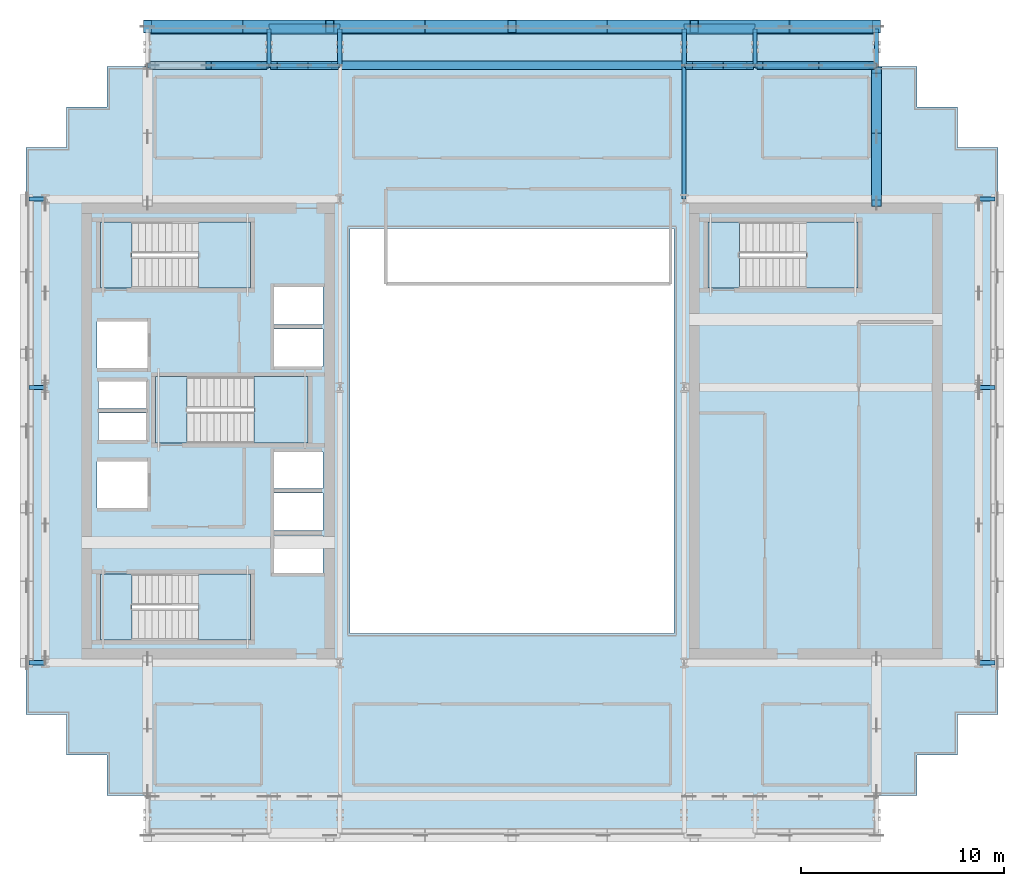
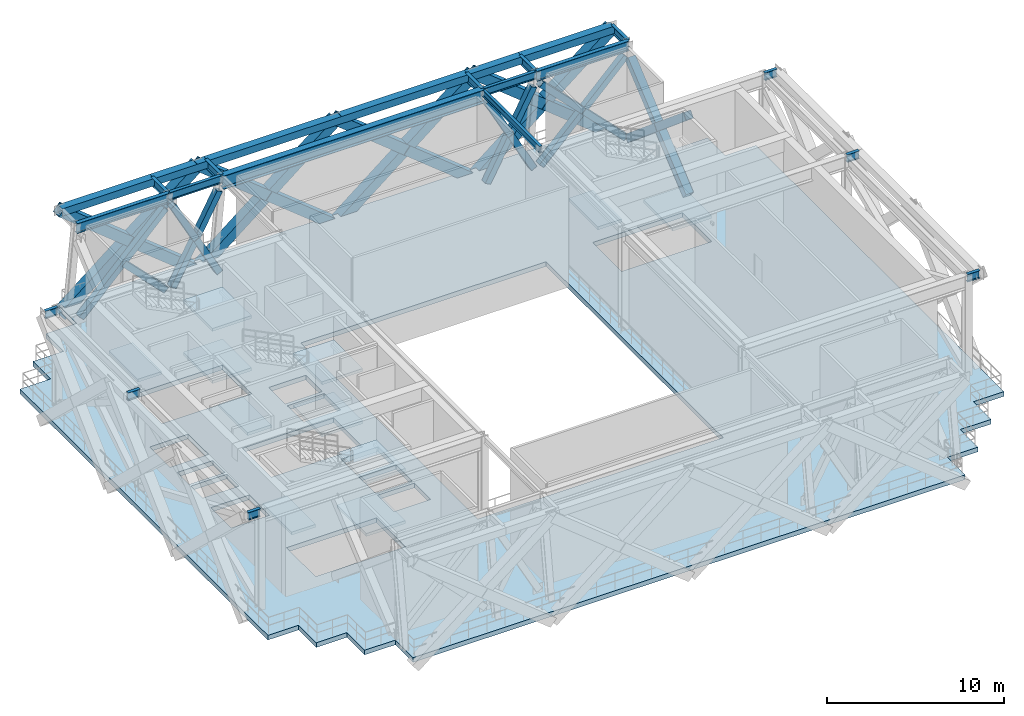
# One storey, part 3 of 13: 26 members, 22 beams, 12 slabs, 4 elements without a shape of their own.
"""IFC4 building model written with IfcOpenShell, lengths in metres."""

from ifc_helpers import new_model, si_unit, direction, frame, origin, origin_2d, place, context, subcontext, project, spatial, polyline, hollow_rectangle, i_section, outline, extrude, source, transform, mapped, material, layer, layer_set, material_profile, profile_set, type_object, element, aggregate, save


model = new_model("IFC4")

# Units and contexts
model_context = context("Model", 3, precision=1e-05, world=origin(), true_north=direction((0.0, 1.0)))
body_context = subcontext(model_context, "Body", "Model", "MODEL_VIEW")
ifc_project = project(units=[si_unit("LENGTHUNIT", "METRE"), si_unit("AREAUNIT", "SQUARE_METRE"), si_unit("VOLUMEUNIT", "CUBIC_METRE"), si_unit("PLANEANGLEUNIT", "RADIAN"), si_unit("MASSUNIT", "GRAM", prefix="KILO")], contexts=[model_context])

# Site, building, storey
site_placement = place(None, origin())
site = spatial("IfcSite", under=ifc_project, at=site_placement, CompositionType="ELEMENT")
building_placement = place(site_placement, origin())
building = spatial("IfcBuilding", under=site, at=building_placement, Name="Ocotamira Hotel", CompositionType="ELEMENT")
storey_placement = place(building_placement, frame((0.0, 0.0, 220.800048828125)))
storey = spatial("IfcBuildingStorey", under=building, at=storey_placement, Name="L56", CompositionType="ELEMENT", Elevation=220.800048828125)

# Beams
ifc_material_1 = material(Name="Steel ASTM A992 Grade 50", Category="steel")
ifc_material_profile_1 = material_profile(ifc_material_1, i_section(OverallWidth=0.41796875, OverallDepth=0.927001953125, WebThickness=0.019287109375, FlangeThickness=0.031982421875, FilletRadius=0.02392578125, at=origin_2d()), Name="W36X231")
ifc_profile_set_1 = profile_set([ifc_material_profile_1], Name="Steel ASTM A992 Grade 50")
beam_type_1 = type_object("IfcBeamType", Name="BM-GIRD-W36X231", PredefinedType="BEAM", material=ifc_profile_set_1)
shared_shape_1 = source(origin(), body_context, "Body", "SweptSolid", [
    extrude(i_section(OverallWidth=0.41796875, OverallDepth=0.927001953125, WebThickness=0.019287109375, FlangeThickness=0.031982421875, FilletRadius=0.02392578125, at=origin_2d()), origin(), (0.0, 0.0, 1.0), 17.0),
])
beam_1_placement = place(storey_placement, frame((23.5, 44.050048828125, 6.45654296875), z_axis=(1.0, 0.0, 0.0), x_axis=(0.0, 1.0, 0.0)))
element("IfcBeam", 1, at=beam_1_placement, inside=storey, type_object=beam_type_1, Name="L56 Girder Y44.05 X23.5-40.5", PredefinedType="BEAM", context=body_context, shape_type="MappedRepresentation", body=[
    mapped(shared_shape_1, transform((0.0, 0.0, 0.0), scale=1.0)),
])
ifc_material_profile_2 = material_profile(ifc_material_1, i_section(OverallWidth=0.256103515625, OverallDepth=0.693115234375, WebThickness=0.014404296875, FlangeThickness=0.023681640625, FilletRadius=0.01611328125, at=origin_2d()), Name="W27X114")
ifc_profile_set_2 = profile_set([ifc_material_profile_2], Name="Steel ASTM A992 Grade 50")
beam_type_2 = type_object("IfcBeamType", Name="BM-PRIM-W27X114", PredefinedType="BEAM", material=ifc_profile_set_2)
shared_shape_2 = source(origin(), body_context, "Body", "SweptSolid", [
    extrude(i_section(OverallWidth=0.256103515625, OverallDepth=0.693115234375, WebThickness=0.014404296875, FlangeThickness=0.023681640625, FilletRadius=0.01611328125, at=origin_2d()), origin(), (0.0, 0.0, 1.0), 6.0),
])
for number, where, z_axis, x_axis, name in (
    (2, (14.0, 44.050048828125, 6.573486328125), (1.0, 0.0, 0.0), (0.0, 1.0, 0.0), "L56 Girder Y44.05 X14-20"),
    (3, (44.0, 44.050048828125, 6.573486328125), (1.0, 0.0, 0.0), (0.0, 1.0, 0.0), "L56 Girder Y44.05 X44-50"),
):
    element("IfcBeam", number, at=place(storey_placement, frame(where, z_axis=z_axis, x_axis=x_axis)), inside=storey, type_object=beam_type_2, Name=name, PredefinedType="BEAM", context=body_context, shape_type="MappedRepresentation", body=[
        mapped(shared_shape_2, transform((0.0, 0.0, 0.0), scale=1.0)),
    ])
ifc_material_profile_3 = material_profile(ifc_material_1, i_section(OverallWidth=0.2099609375, OverallDepth=0.537109375, WebThickness=0.010986328125, FlangeThickness=0.017333984375, FilletRadius=0.012939453125, at=origin_2d()), Name="W21X68")
ifc_profile_set_3 = profile_set([ifc_material_profile_3], Name="Steel ASTM A992 Grade 50")
beam_type_3 = type_object("IfcBeamType", Name="BM-SEC-W21X68", PredefinedType="JOIST", material=ifc_profile_set_3)
shared_shape_3 = source(origin(), body_context, "Body", "SweptSolid", [
    extrude(i_section(OverallWidth=0.2099609375, OverallDepth=0.537109375, WebThickness=0.010986328125, FlangeThickness=0.017333984375, FilletRadius=0.012939453125, at=origin_2d()), origin(), (0.0, 0.0, 1.0), 3.5),
])
for number, where, z_axis, x_axis, name in (
    (4, (20.0, 44.050048828125, 6.6513671875), (1.0, 0.0, 0.0), (0.0, 1.0, 0.0), "L56 Girder Y44.05 X20-23.5"),
    (5, (40.5, 44.050048828125, 6.6513671875), (1.0, 0.0, 0.0), (0.0, 1.0, 0.0), "L56 Girder Y44.05 X40.5-44"),
):
    element("IfcBeam", number, at=place(storey_placement, frame(where, z_axis=z_axis, x_axis=x_axis)), inside=storey, type_object=beam_type_3, Name=name, PredefinedType="JOIST", context=body_context, shape_type="MappedRepresentation", body=[
        mapped(shared_shape_3, transform((0.0, 0.0, 0.0), scale=1.0)),
    ])
shared_shape_4 = source(origin(), body_context, "Body", "SweptSolid", [
    extrude(i_section(OverallWidth=0.2099609375, OverallDepth=0.537109375, WebThickness=0.010986328125, FlangeThickness=0.017333984375, FilletRadius=0.012939453125, at=origin_2d()), origin(), (0.0, 0.0, 1.0), 0.800048828125),
])
for number, where, z_axis, x_axis, name in (
    (6, (8.949951171875, 14.550048828125, 6.6513671875), (-1.0, 0.0, 0.0), (0.0, -1.0, 0.0), "L56 West Edge Header Y14.55"),
    (7, (55.050048828125, 14.550048828125, 6.6513671875), (1.0, 0.0, 0.0), (0.0, 1.0, 0.0), "L56 East Edge Header Y14.55"),
    (8, (8.949951171875, 28.14990234375, 6.6513671875), (-1.0, 0.0, 0.0), (0.0, -1.0, 0.0), "L56 West Edge Header Y28.15"),
    (9, (55.050048828125, 28.14990234375, 6.6513671875), (1.0, 0.0, 0.0), (0.0, 1.0, 0.0), "L56 East Edge Header Y28.15"),
    (10, (8.949951171875, 37.449951171875, 6.6513671875), (-1.0, 0.0, 0.0), (0.0, -1.0, 0.0), "L56 West Edge Header Y37.45"),
    (11, (55.050048828125, 37.449951171875, 6.6513671875), (1.0, 0.0, 0.0), (0.0, 1.0, 0.0), "L56 East Edge Header Y37.45"),
):
    element("IfcBeam", number, at=place(storey_placement, frame(where, z_axis=z_axis, x_axis=x_axis)), inside=storey, type_object=beam_type_3, Name=name, PredefinedType="JOIST", context=body_context, shape_type="MappedRepresentation", body=[
        mapped(shared_shape_4, transform((0.0, 0.0, 0.0), scale=1.0)),
    ])
ifc_material_2 = material(Name="Steel ASTM A500 Grade C", Category="steel")
ifc_material_profile_4 = material_profile(ifc_material_2, hollow_rectangle(XDim=0.5, YDim=0.5, WallThickness=0.02001953125, at=origin_2d()), Name="HSS500X500X20")
ifc_profile_set_4 = profile_set([ifc_material_profile_4], Name="Steel ASTM A500 Grade C")
beam_type_4 = type_object("IfcBeamType", Name="BM-SPAN-HSS500", PredefinedType="USERDEFINED", material=ifc_profile_set_4)
shared_shape_5 = source(origin(), body_context, "Body", "SweptSolid", [
    extrude(hollow_rectangle(XDim=0.5, YDim=0.5, WallThickness=0.02001953125, at=origin_2d()), origin(), (0.0, 0.0, 1.0), 6.0),
])
for number, where, z_axis, x_axis, name in (
    (12, (14.0, 45.85009765625, 6.669921875), (1.0, 0.0, 0.0), (0.0, 1.0, 0.0), "L56 Edge Spandrel N X14-20"),
    (13, (44.0, 45.85009765625, 6.669921875), (1.0, 0.0, 0.0), (0.0, 1.0, 0.0), "L56 Edge Spandrel N X44-50"),
):
    element("IfcBeam", number, at=place(storey_placement, frame(where, z_axis=z_axis, x_axis=x_axis)), inside=storey, type_object=beam_type_4, Name=name, ObjectType="SPANDREL", PredefinedType="USERDEFINED", context=body_context, shape_type="MappedRepresentation", body=[
        mapped(shared_shape_5, transform((0.0, 0.0, 0.0), scale=1.0)),
    ])
shared_shape_6 = source(origin(), body_context, "Body", "SweptSolid", [
    extrude(hollow_rectangle(XDim=0.5, YDim=0.5, WallThickness=0.02001953125, at=origin_2d()), origin(), (0.0, 0.0, 1.0), 3.5),
])
for number, where, z_axis, x_axis, name in (
    (14, (20.0, 45.85009765625, 6.669921875), (1.0, 0.0, 0.0), (0.0, 1.0, 0.0), "L56 Edge Spandrel N X20-23.5"),
    (15, (40.5, 45.85009765625, 6.669921875), (1.0, 0.0, 0.0), (0.0, 1.0, 0.0), "L56 Edge Spandrel N X40.5-44"),
):
    element("IfcBeam", number, at=place(storey_placement, frame(where, z_axis=z_axis, x_axis=x_axis)), inside=storey, type_object=beam_type_4, Name=name, ObjectType="SPANDREL", PredefinedType="USERDEFINED", context=body_context, shape_type="MappedRepresentation", body=[
        mapped(shared_shape_6, transform((0.0, 0.0, 0.0), scale=1.0)),
    ])
shared_shape_7 = source(origin(), body_context, "Body", "SweptSolid", [
    extrude(hollow_rectangle(XDim=0.5, YDim=0.5, WallThickness=0.02001953125, at=origin_2d()), origin(), (0.0, 0.0, 1.0), 17.0),
])
beam_2_placement = place(storey_placement, frame((23.5, 45.85009765625, 6.669921875), z_axis=(1.0, 0.0, 0.0), x_axis=(0.0, 1.0, 0.0)))
element("IfcBeam", 16, at=beam_2_placement, inside=storey, type_object=beam_type_4, Name="L56 Edge Spandrel N X23.5-40.5", ObjectType="SPANDREL", PredefinedType="USERDEFINED", context=body_context, shape_type="MappedRepresentation", body=[
    mapped(shared_shape_7, transform((0.0, 0.0, 0.0), scale=1.0)),
])
ifc_material_profile_5 = material_profile(ifc_material_1, i_section(OverallWidth=0.18994140625, OverallDepth=0.45703125, WebThickness=0.009033203125, FlangeThickness=0.014404296875, FilletRadius=0.010009765625, at=origin_2d()), Name="W18X50")
ifc_profile_set_5 = profile_set([ifc_material_profile_5], Name="Steel ASTM A992 Grade 50")
beam_type_5 = type_object("IfcBeamType", Name="BM-SEC-W18X50", PredefinedType="JOIST", material=ifc_profile_set_5)
shared_shape_8 = source(origin(), body_context, "Body", "SweptSolid", [
    extrude(i_section(OverallWidth=0.18994140625, OverallDepth=0.45703125, WebThickness=0.009033203125, FlangeThickness=0.014404296875, FilletRadius=0.010009765625, at=origin_2d()), origin(), (0.0, 0.0, 1.0), 6.60009765625),
])
beam_3_placement = place(storey_placement, frame((40.5, 37.449951171875, 6.69140625), z_axis=(0.0, 1.0, 0.0), x_axis=(-1.0, 0.0, 0.0)))
element("IfcBeam", 17, at=beam_3_placement, inside=storey, type_object=beam_type_5, Name="L56 Beam X40.5 Y37.45-44.05", PredefinedType="JOIST", context=body_context, shape_type="MappedRepresentation", body=[
    mapped(shared_shape_8, transform((0.0, 0.0, 0.0), scale=1.0)),
])
shared_shape_9 = source(origin(), body_context, "Body", "SweptSolid", [
    extrude(i_section(OverallWidth=0.2099609375, OverallDepth=0.537109375, WebThickness=0.010986328125, FlangeThickness=0.017333984375, FilletRadius=0.012939453125, at=origin_2d()), origin(), (0.0, 0.0, 1.0), 1.800048828125),
])
for number, where, z_axis, x_axis, name in (
    (18, (20.0, 44.050048828125, 6.6513671875), (0.0, 1.0, 0.0), (-1.0, 0.0, 0.0), "L56 North Edge Header X20"),
    (19, (23.5, 44.050048828125, 6.6513671875), (0.0, 1.0, 0.0), (-1.0, 0.0, 0.0), "L56 North Edge Header X23.5"),
    (20, (40.5, 44.050048828125, 6.6513671875), (0.0, 1.0, 0.0), (-1.0, 0.0, 0.0), "L56 North Edge Header X40.5"),
    (21, (44.0, 44.050048828125, 6.6513671875), (0.0, 1.0, 0.0), (-1.0, 0.0, 0.0), "L56 North Edge Header X44"),
    (22, (50.0, 44.050048828125, 6.6513671875), (0.0, 1.0, 0.0), (-1.0, 0.0, 0.0), "L56 North Edge Header X50"),
):
    element("IfcBeam", number, at=place(storey_placement, frame(where, z_axis=z_axis, x_axis=x_axis)), inside=storey, type_object=beam_type_3, Name=name, PredefinedType="JOIST", context=body_context, shape_type="MappedRepresentation", body=[
        mapped(shared_shape_9, transform((0.0, 0.0, 0.0), scale=1.0)),
    ])

# Members
ifc_material_3 = material(Name="Steel ASTM A913 Grade 65", Category="steel")
ifc_material_profile_6 = material_profile(ifc_material_3, hollow_rectangle(XDim=0.39990234375, YDim=0.39990234375, WallThickness=0.01611328125, at=origin_2d()), Name="HSS400X400X16")
ifc_profile_set_6 = profile_set([ifc_material_profile_6], Name="Steel ASTM A913 Grade 65")
member_type_1 = type_object("IfcMemberType", Name="MEM-BELT-HSS400", PredefinedType="BRACE", material=ifc_profile_set_6)
shared_shape_10 = source(origin(), body_context, "Body", "SweptSolid", [
    extrude(hollow_rectangle(XDim=0.39990234375, YDim=0.39990234375, WallThickness=0.01611328125, at=origin_2d()), origin(), (0.0, 0.0, 1.0), 7.870361328125),
])
for number, where, z_axis, x_axis, name in (
    (23, (14.239990234375, 44.050048828125, 0.349853515625), (0.701360444037, 0.0, 0.71280679538), (0.0, 1.0, 0.0), "L56 Belt Truss Diagonal 14,44.05 A"),
    (24, (44.239990234375, 44.050048828125, 0.349853515625), (0.701360444037, 0.0, 0.71280679538), (0.0, 1.0, 0.0), "L56 Belt Truss Diagonal 44,44.05 A"),
):
    element("IfcMember", number, at=place(storey_placement, frame(where, z_axis=z_axis, x_axis=x_axis)), inside=storey, type_object=member_type_1, Name=name, PredefinedType="BRACE", context=body_context, shape_type="MappedRepresentation", body=[
        mapped(shared_shape_10, transform((0.0, 0.0, 0.0), scale=1.0)),
    ])
shared_shape_11 = source(origin(), body_context, "Body", "SweptSolid", [
    extrude(hollow_rectangle(XDim=0.39990234375, YDim=0.39990234375, WallThickness=0.01611328125, at=origin_2d()), origin(), (0.0, 0.0, 1.0), 3.915283203125),
])
for number, where, z_axis, x_axis, name in (
    (25, (17.013916015625, 44.050048828125, 3.140625), (0.70137820504, 0.0, -0.712789319151), (0.0, 1.0, 0.0), "L56 Belt Truss Diagonal 14,44.05 B Upper Half"),
    (26, (44.239990234375, 44.050048828125, 5.9599609375), (0.70137820504, 0.0, -0.712789319151), (0.0, 1.0, 0.0), "L56 Belt Truss Diagonal 44,44.05 B Lower Half"),
    (27, (47.013916015625, 44.050048828125, 3.140625), (0.70137820504, 0.0, -0.712789319151), (0.0, 1.0, 0.0), "L56 Belt Truss Diagonal 44,44.05 B Upper Half"),
):
    element("IfcMember", number, at=place(storey_placement, frame(where, z_axis=z_axis, x_axis=x_axis)), inside=storey, type_object=member_type_1, Name=name, PredefinedType="BRACE", context=body_context, shape_type="MappedRepresentation", body=[
        mapped(shared_shape_11, transform((0.0, 0.0, 0.0), scale=1.0)),
    ])
shared_shape_12 = source(origin(), body_context, "Body", "SweptSolid", [
    extrude(hollow_rectangle(XDim=0.39990234375, YDim=0.39990234375, WallThickness=0.01611328125, at=origin_2d()), origin(), (0.0, 0.0, 1.0), 3.16552734375),
])
for number, where, z_axis, x_axis, name in (
    (28, (20.239990234375, 44.050048828125, 5.9599609375), (0.474003238469, 0.0, -0.880523100163), (0.0, 1.0, 0.0), "L56 Belt Truss Diagonal 20,44.05 B Lower Half"),
    (29, (40.739990234375, 44.050048828125, 5.9599609375), (0.474003238469, 0.0, -0.880523100163), (0.0, 1.0, 0.0), "L56 Belt Truss Diagonal 40.5,44.05 B Lower Half"),
):
    element("IfcMember", number, at=place(storey_placement, frame(where, z_axis=z_axis, x_axis=x_axis)), inside=storey, type_object=member_type_1, Name=name, PredefinedType="BRACE", context=body_context, shape_type="MappedRepresentation", body=[
        mapped(shared_shape_12, transform((0.0, 0.0, 0.0), scale=1.0)),
    ])
ifc_material_profile_7 = material_profile(ifc_material_3, hollow_rectangle(XDim=0.5, YDim=0.5, WallThickness=0.02001953125, at=origin_2d()), Name="HSS500X500X20")
ifc_profile_set_7 = profile_set([ifc_material_profile_7], Name="Steel ASTM A913 Grade 65")
member_type_2 = type_object("IfcMemberType", Name="MEM-OUT-HSS500", PredefinedType="BRACE", material=ifc_profile_set_7)
shared_shape_13 = source(origin(), body_context, "Body", "SweptSolid", [
    extrude(hollow_rectangle(XDim=0.5, YDim=0.5, WallThickness=0.02001953125, at=origin_2d()), origin(), (0.0, 0.0, 1.0), 8.561767578125),
])
member_1_placement = place(storey_placement, frame((50.0, 37.25, 0.349853515625), z_axis=(0.0, 0.767362807568, 0.641213163902), x_axis=(-1.0, 0.0, 0.0)))
element("IfcMember", 30, at=member_1_placement, inside=storey, type_object=member_type_2, Name="L56 Outrigger Truss N X50 A", PredefinedType="BRACE", context=body_context, shape_type="MappedRepresentation", body=[
    mapped(shared_shape_13, transform((0.0, 0.0, 0.0), scale=1.0)),
])
shared_shape_14 = source(origin(), body_context, "Body", "SweptSolid", [
    extrude(hollow_rectangle(XDim=0.5, YDim=0.5, WallThickness=0.02001953125, at=origin_2d()), origin(), (0.0, 0.0, 1.0), 4.2607421875),
])
member_2_placement = place(storey_placement, frame((50.0, 37.25, 5.83984375), z_axis=(0.0, 0.767346990836, -0.641232091879), x_axis=(-1.0, 0.0, 0.0)))
element("IfcMember", 31, at=member_2_placement, inside=storey, type_object=member_type_2, Name="L56 Outrigger Truss N X50 B Lower Half", PredefinedType="BRACE", context=body_context, shape_type="MappedRepresentation", body=[
    mapped(shared_shape_14, transform((0.0, 0.0, 0.0), scale=1.0)),
])
shared_shape_15 = source(origin(), body_context, "Body", "SweptSolid", [
    extrude(hollow_rectangle(XDim=0.5, YDim=0.5, WallThickness=0.02001953125, at=origin_2d()), origin(), (0.0, 0.0, 1.0), 4.260986328125),
])
member_3_placement = place(storey_placement, frame((50.0, 40.55029296875, 3.08203125), z_axis=(0.0, 0.767370549367, -0.6412038989), x_axis=(-1.0, 0.0, 0.0)))
element("IfcMember", 32, at=member_3_placement, inside=storey, type_object=member_type_2, Name="L56 Outrigger Truss N X50 B Upper Half", PredefinedType="BRACE", context=body_context, shape_type="MappedRepresentation", body=[
    mapped(shared_shape_15, transform((0.0, 0.0, 0.0), scale=1.0)),
])
shared_shape_16 = source(origin(), body_context, "Body", "SweptSolid", [
    extrude(hollow_rectangle(XDim=0.39990234375, YDim=0.39990234375, WallThickness=0.01611328125, at=origin_2d()), origin(), (0.0, 0.0, 1.0), 6.371337890625),
])
for number, where, z_axis, x_axis, name in (
    (33, (20.239990234375, 44.050048828125, 0.349853515625), (0.474001562656, 0.0, 0.880524002285), (0.0, 1.0, 0.0), "L56 Belt Truss Diagonal 20,44.05 A"),
    (34, (40.739990234375, 44.050048828125, 0.349853515625), (0.474001562656, 0.0, 0.880524002285), (0.0, 1.0, 0.0), "L56 Belt Truss Diagonal 40.5,44.05 A"),
):
    element("IfcMember", number, at=place(storey_placement, frame(where, z_axis=z_axis, x_axis=x_axis)), inside=storey, type_object=member_type_1, Name=name, PredefinedType="BRACE", context=body_context, shape_type="MappedRepresentation", body=[
        mapped(shared_shape_16, transform((0.0, 0.0, 0.0), scale=1.0)),
    ])
shared_shape_17 = source(origin(), body_context, "Body", "SweptSolid", [
    extrude(hollow_rectangle(XDim=0.39990234375, YDim=0.39990234375, WallThickness=0.01611328125, at=origin_2d()), origin(), (0.0, 0.0, 1.0), 3.165771484375),
])
for number, where, z_axis, x_axis, name in (
    (35, (21.759521484375, 44.050048828125, 3.137451171875), (0.473971051091, 0.0, -0.880540426515), (0.0, 1.0, 0.0), "L56 Belt Truss Diagonal 20,44.05 B Upper Half"),
    (36, (42.259521484375, 44.050048828125, 3.137451171875), (0.473971051091, 0.0, -0.880540426515), (0.0, 1.0, 0.0), "L56 Belt Truss Diagonal 40.5,44.05 B Upper Half"),
):
    element("IfcMember", number, at=place(storey_placement, frame(where, z_axis=z_axis, x_axis=x_axis)), inside=storey, type_object=member_type_1, Name=name, PredefinedType="BRACE", context=body_context, shape_type="MappedRepresentation", body=[
        mapped(shared_shape_17, transform((0.0, 0.0, 0.0), scale=1.0)),
    ])
ifc_material_4 = material(Name="Pale-metal coated steel ASTM A913 Grade 65", Category="steel")
ifc_material_profile_8 = material_profile(ifc_material_4, hollow_rectangle(XDim=0.64990234375, YDim=0.64990234375, WallThickness=0.02197265625, at=origin_2d()), Name="BOX650X650X22")
ifc_profile_set_8 = profile_set([ifc_material_profile_8], Name="Pale-metal coated steel ASTM A913 Grade 65")
member_type_3 = type_object("IfcMemberType", Name="MEM-EXO-BOX650", PredefinedType="BRACE", material=ifc_profile_set_8)
shared_shape_18 = source(origin(), body_context, "Body", "SweptSolid", [
    extrude(hollow_rectangle(XDim=0.64990234375, YDim=0.64990234375, WallThickness=0.02197265625, at=origin_2d()), origin(), (0.0, 0.0, 1.0), 11.550537109375),
])
for number, where, z_axis, x_axis, name in (
    (37, (14.0, 45.969970703125, -0.570068359375), (0.779177095381, 0.0, 0.626803840156), (0.0, 1.0, 0.0), "L56 Exoskeleton Diagrid N0.1"),
    (38, (23.0, 45.969970703125, -0.570068359375), (0.779177095381, 0.0, 0.626803840156), (0.0, 1.0, 0.0), "L56 Exoskeleton Diagrid N1.1"),
    (39, (32.0, 45.969970703125, -0.570068359375), (0.779177095381, 0.0, 0.626803840156), (0.0, 1.0, 0.0), "L56 Exoskeleton Diagrid N2.1"),
    (40, (41.0, 45.969970703125, -0.570068359375), (0.779177095381, 0.0, 0.626803840156), (0.0, 1.0, 0.0), "L56 Exoskeleton Diagrid N3.1"),
):
    element("IfcMember", number, at=place(storey_placement, frame(where, z_axis=z_axis, x_axis=x_axis)), inside=storey, type_object=member_type_3, Name=name, PredefinedType="BRACE", context=body_context, shape_type="MappedRepresentation", body=[
        mapped(shared_shape_18, transform((0.0, 0.0, 0.0), scale=1.0)),
    ])
shared_shape_19 = source(origin(), body_context, "Body", "SweptSolid", [
    extrude(hollow_rectangle(XDim=0.64990234375, YDim=0.64990234375, WallThickness=0.02197265625, at=origin_2d()), origin(), (0.0, 0.0, 1.0), 5.75537109375),
])
for number, where, z_axis, x_axis, name in (
    (41, (23.0, 45.969970703125, -0.570068359375), (-0.779177419095, 0.0, 0.626803437748), (0.0, -1.0, 0.0), "L56 Exoskeleton Diagrid N0.2 Lower Half"),
    (42, (18.484375, 45.969970703125, 3.0625), (-0.779177419095, 0.0, 0.626803437748), (0.0, -1.0, 0.0), "L56 Exoskeleton Diagrid N0.2 Upper Half"),
    (43, (32.0, 45.969970703125, -0.570068359375), (-0.779177419095, 0.0, 0.626803437748), (0.0, -1.0, 0.0), "L56 Exoskeleton Diagrid N1.2 Lower Half"),
    (44, (27.484375, 45.969970703125, 3.0625), (-0.779177419095, 0.0, 0.626803437748), (0.0, -1.0, 0.0), "L56 Exoskeleton Diagrid N1.2 Upper Half"),
    (45, (41.0, 45.969970703125, -0.570068359375), (-0.779177419095, 0.0, 0.626803437748), (0.0, -1.0, 0.0), "L56 Exoskeleton Diagrid N2.2 Lower Half"),
    (46, (36.484375, 45.969970703125, 3.0625), (-0.779177419095, 0.0, 0.626803437748), (0.0, -1.0, 0.0), "L56 Exoskeleton Diagrid N2.2 Upper Half"),
    (47, (50.0, 45.969970703125, -0.570068359375), (-0.779177419095, 0.0, 0.626803437748), (0.0, -1.0, 0.0), "L56 Exoskeleton Diagrid N3.2 Lower Half"),
    (48, (45.484375, 45.969970703125, 3.0625), (-0.779177419095, 0.0, 0.626803437748), (0.0, -1.0, 0.0), "L56 Exoskeleton Diagrid N3.2 Upper Half"),
):
    element("IfcMember", number, at=place(storey_placement, frame(where, z_axis=z_axis, x_axis=x_axis)), inside=storey, type_object=member_type_3, Name=name, PredefinedType="BRACE", context=body_context, shape_type="MappedRepresentation", body=[
        mapped(shared_shape_19, transform((0.0, 0.0, 0.0), scale=1.0)),
    ])

# Slab
ifc_material_5 = material(Name="Concrete C40/50", Category="concrete")
ifc_layer_1 = layer(ifc_material_5, 0.320068359375)
ifc_layer_set_1 = layer_set([ifc_layer_1], Name="Concrete C40/50")
slab_type_1 = type_object("IfcSlabType", Name="SLB-HVY-320", PredefinedType="FLOOR", material=ifc_layer_set_1)
slab_1_placement = place(storey_placement, frame((0.0, 0.0, -0.320068359375)))
element("IfcSlab", 49, at=slab_1_placement, inside=storey, type_object=slab_type_1, Name="L56 Structural Floor Slab", PredefinedType="FLOOR", context=body_context, shape_type="SweptSolid", body=[
    extrude(outline(polyline([(14.0, 6.0), (50.0, 6.0), (50.0, 8.0), (52.0, 8.0), (52.0, 10.0), (54.0, 10.0), (54.0, 12.0), (56.0, 12.0), (56.0, 40.0), (54.0, 40.0), (54.0, 42.0), (52.0, 42.0), (52.0, 44.0), (50.0, 44.0), (50.0, 46.0), (14.0, 46.0), (14.0, 44.0), (12.0, 44.0), (12.0, 42.0), (10.0, 42.0), (10.0, 40.0), (8.0, 40.0), (8.0, 12.0), (10.0, 12.0), (10.0, 10.0), (12.0, 10.0), (12.0, 8.0), (14.0, 8.0), (14.0, 6.0)]), holes=[polyline([(24.0, 16.0), (40.0, 16.0), (40.0, 36.0), (24.0, 36.0), (24.0, 16.0)]), polyline([(13.22998046875, 15.669921875), (19.090087890625, 15.669921875), (19.090087890625, 18.949951171875), (13.22998046875, 18.949951171875), (13.22998046875, 15.669921875)]), polyline([(13.22998046875, 33.050048828125), (19.090087890625, 33.050048828125), (19.090087890625, 36.330078125), (13.22998046875, 36.330078125), (13.22998046875, 33.050048828125)]), polyline([(15.9599609375, 25.39990234375), (21.919921875, 25.39990234375), (21.919921875, 28.679931640625), (15.9599609375, 28.679931640625), (15.9599609375, 25.39990234375)]), polyline([(43.22998046875, 33.050048828125), (49.090087890625, 33.050048828125), (49.090087890625, 36.330078125), (43.22998046875, 36.330078125), (43.22998046875, 33.050048828125)]), polyline([(20.25, 19.0), (22.659912109375, 19.0), (22.659912109375, 20.85009765625), (20.25, 20.85009765625), (20.25, 19.0)]), polyline([(20.25, 21.080078125), (22.659912109375, 21.080078125), (22.659912109375, 22.929931640625), (20.25, 22.929931640625), (20.25, 21.080078125)]), polyline([(20.25, 23.159912109375), (22.659912109375, 23.159912109375), (22.659912109375, 24.9599609375), (20.25, 24.9599609375), (20.25, 23.159912109375)]), polyline([(20.25, 29.179931640625), (22.659912109375, 29.179931640625), (22.659912109375, 31.030029296875), (20.25, 31.030029296875), (20.25, 29.179931640625)]), polyline([(20.25, 31.260009765625), (22.659912109375, 31.260009765625), (22.659912109375, 33.110107421875), (20.25, 33.110107421875), (20.25, 31.260009765625)]), polyline([(11.5, 22.199951171875), (14.0, 22.199951171875), (14.0, 24.5), (11.5, 24.5), (11.5, 22.199951171875)]), polyline([(11.5, 29.10009765625), (14.0, 29.10009765625), (14.0, 31.39990234375), (11.5, 31.39990234375), (11.5, 29.10009765625)]), polyline([(11.580078125, 25.550048828125), (13.919921875, 25.550048828125), (13.919921875, 26.89990234375), (11.580078125, 26.89990234375), (11.580078125, 25.550048828125)]), polyline([(11.580078125, 27.10009765625), (13.919921875, 27.10009765625), (13.919921875, 28.449951171875), (11.580078125, 28.449951171875), (11.580078125, 27.10009765625)])]), origin(), (0.0, 0.0, 1.0), 0.320068359375),
])

# Stair, slabs
stair_type = type_object("IfcStairType", Name="ST-CORE-1560", PredefinedType="HALF_TURN_STAIR", material=ifc_material_5)
stair_1_placement = place(storey_placement, origin())
stair_1 = element("IfcStair", 50, at=stair_1_placement, inside=storey, type_object=stair_type, Name="L56 Exit Stair ST-1", PredefinedType="HALF_TURN_STAIR")
ifc_layer_2 = layer(ifc_material_5, 0.199951171875)
ifc_layer_set_2 = layer_set([ifc_layer_2], Name="Concrete C40/50")
slab_type_2 = type_object("IfcSlabType", Name="SLB-LAND-200", PredefinedType="LANDING", material=ifc_layer_set_2)
slab_2_placement = place(storey_placement, frame((0.0, 0.0, 1.599853515625)))
slab_2 = element("IfcSlab", 51, at=slab_2_placement, type_object=slab_type_2, Name="ST-1 landing 1", PredefinedType="LANDING", context=body_context, shape_type="SweptSolid", body=[
    extrude(outline(polyline([(16.530029296875, 15.669921875), (19.090087890625, 15.669921875), (19.090087890625, 18.949951171875), (16.530029296875, 18.949951171875), (16.530029296875, 15.669921875)])), origin(), (0.0, 0.0, 1.0), 0.2001953125),
])
slab_3_placement = place(storey_placement, frame((0.0, 0.0, 3.39990234375)))
slab_3 = element("IfcSlab", 52, at=slab_3_placement, type_object=slab_type_2, Name="ST-1 landing 2", PredefinedType="LANDING", context=body_context, shape_type="SweptSolid", body=[
    extrude(outline(polyline([(11.669921875, 15.669921875), (13.22998046875, 15.669921875), (13.22998046875, 18.949951171875), (11.669921875, 18.949951171875), (11.669921875, 15.669921875)])), origin(), (0.0, 0.0, 1.0), 0.199951171875),
])
slab_4_placement = place(storey_placement, frame((0.0, 0.0, 5.199951171875)))
slab_4 = element("IfcSlab", 53, at=slab_4_placement, type_object=slab_type_2, Name="ST-1 landing 3", PredefinedType="LANDING", context=body_context, shape_type="SweptSolid", body=[
    extrude(outline(polyline([(16.530029296875, 15.669921875), (19.090087890625, 15.669921875), (19.090087890625, 18.949951171875), (16.530029296875, 18.949951171875), (16.530029296875, 15.669921875)])), origin(), (0.0, 0.0, 1.0), 0.199951171875),
])
aggregate(stair_1, [slab_2, slab_3, slab_4])

stair_2_placement = place(storey_placement, origin())
stair_2 = element("IfcStair", 54, at=stair_2_placement, inside=storey, type_object=stair_type, Name="L56 Exit Stair ST-2", PredefinedType="HALF_TURN_STAIR")
slab_5_placement = place(storey_placement, frame((0.0, 0.0, 1.599853515625)))
slab_5 = element("IfcSlab", 55, at=slab_5_placement, type_object=slab_type_2, Name="ST-2 landing 1", PredefinedType="LANDING", context=body_context, shape_type="SweptSolid", body=[
    extrude(outline(polyline([(16.530029296875, 33.050048828125), (19.090087890625, 33.050048828125), (19.090087890625, 36.330078125), (16.530029296875, 36.330078125), (16.530029296875, 33.050048828125)])), origin(), (0.0, 0.0, 1.0), 0.2001953125),
])
slab_6_placement = place(storey_placement, frame((0.0, 0.0, 3.39990234375)))
slab_6 = element("IfcSlab", 56, at=slab_6_placement, type_object=slab_type_2, Name="ST-2 landing 2", PredefinedType="LANDING", context=body_context, shape_type="SweptSolid", body=[
    extrude(outline(polyline([(11.669921875, 33.050048828125), (13.22998046875, 33.050048828125), (13.22998046875, 36.330078125), (11.669921875, 36.330078125), (11.669921875, 33.050048828125)])), origin(), (0.0, 0.0, 1.0), 0.199951171875),
])
slab_7_placement = place(storey_placement, frame((0.0, 0.0, 5.199951171875)))
slab_7 = element("IfcSlab", 57, at=slab_7_placement, type_object=slab_type_2, Name="ST-2 landing 3", PredefinedType="LANDING", context=body_context, shape_type="SweptSolid", body=[
    extrude(outline(polyline([(16.530029296875, 33.050048828125), (19.090087890625, 33.050048828125), (19.090087890625, 36.330078125), (16.530029296875, 36.330078125), (16.530029296875, 33.050048828125)])), origin(), (0.0, 0.0, 1.0), 0.199951171875),
])
aggregate(stair_2, [slab_5, slab_6, slab_7])

stair_3_placement = place(storey_placement, origin())
stair_3 = element("IfcStair", 58, at=stair_3_placement, inside=storey, type_object=stair_type, Name="L56 Exit Stair ST-3", PredefinedType="HALF_TURN_STAIR")
slab_8_placement = place(storey_placement, frame((0.0, 0.0, 1.599853515625)))
slab_8 = element("IfcSlab", 59, at=slab_8_placement, type_object=slab_type_2, Name="ST-3 landing 1", PredefinedType="LANDING", context=body_context, shape_type="SweptSolid", body=[
    extrude(outline(polyline([(19.260009765625, 25.39990234375), (21.919921875, 25.39990234375), (21.919921875, 28.679931640625), (19.260009765625, 28.679931640625), (19.260009765625, 25.39990234375)])), origin(), (0.0, 0.0, 1.0), 0.2001953125),
])
slab_9_placement = place(storey_placement, frame((0.0, 0.0, 3.39990234375)))
slab_9 = element("IfcSlab", 60, at=slab_9_placement, type_object=slab_type_2, Name="ST-3 landing 2", PredefinedType="LANDING", context=body_context, shape_type="SweptSolid", body=[
    extrude(outline(polyline([(14.39990234375, 25.39990234375), (15.9599609375, 25.39990234375), (15.9599609375, 28.679931640625), (14.39990234375, 28.679931640625), (14.39990234375, 25.39990234375)])), origin(), (0.0, 0.0, 1.0), 0.199951171875),
])
slab_10_placement = place(storey_placement, frame((0.0, 0.0, 5.199951171875)))
slab_10 = element("IfcSlab", 61, at=slab_10_placement, type_object=slab_type_2, Name="ST-3 landing 3", PredefinedType="LANDING", context=body_context, shape_type="SweptSolid", body=[
    extrude(outline(polyline([(19.260009765625, 25.39990234375), (21.919921875, 25.39990234375), (21.919921875, 28.679931640625), (19.260009765625, 28.679931640625), (19.260009765625, 25.39990234375)])), origin(), (0.0, 0.0, 1.0), 0.199951171875),
])
aggregate(stair_3, [slab_8, slab_9, slab_10])

stair_4_placement = place(storey_placement, origin())
stair_4 = element("IfcStair", 62, at=stair_4_placement, inside=storey, type_object=stair_type, Name="L56 Exit Stair ST-4", PredefinedType="HALF_TURN_STAIR")
slab_11_placement = place(storey_placement, frame((0.0, 0.0, 1.599853515625)))
slab_11 = element("IfcSlab", 63, at=slab_11_placement, type_object=slab_type_2, Name="ST-4 landing 1", PredefinedType="LANDING", context=body_context, shape_type="SweptSolid", body=[
    extrude(outline(polyline([(46.530029296875, 33.050048828125), (49.090087890625, 33.050048828125), (49.090087890625, 36.330078125), (46.530029296875, 36.330078125), (46.530029296875, 33.050048828125)])), origin(), (0.0, 0.0, 1.0), 0.2001953125),
])
slab_12_placement = place(storey_placement, frame((0.0, 0.0, 3.39990234375)))
slab_12 = element("IfcSlab", 64, at=slab_12_placement, type_object=slab_type_2, Name="ST-4 landing 2", PredefinedType="LANDING", context=body_context, shape_type="SweptSolid", body=[
    extrude(outline(polyline([(41.669921875, 33.050048828125), (43.22998046875, 33.050048828125), (43.22998046875, 36.330078125), (41.669921875, 36.330078125), (41.669921875, 33.050048828125)])), origin(), (0.0, 0.0, 1.0), 0.199951171875),
])
aggregate(stair_4, [slab_11, slab_12])

save(model, "model.ifc")
